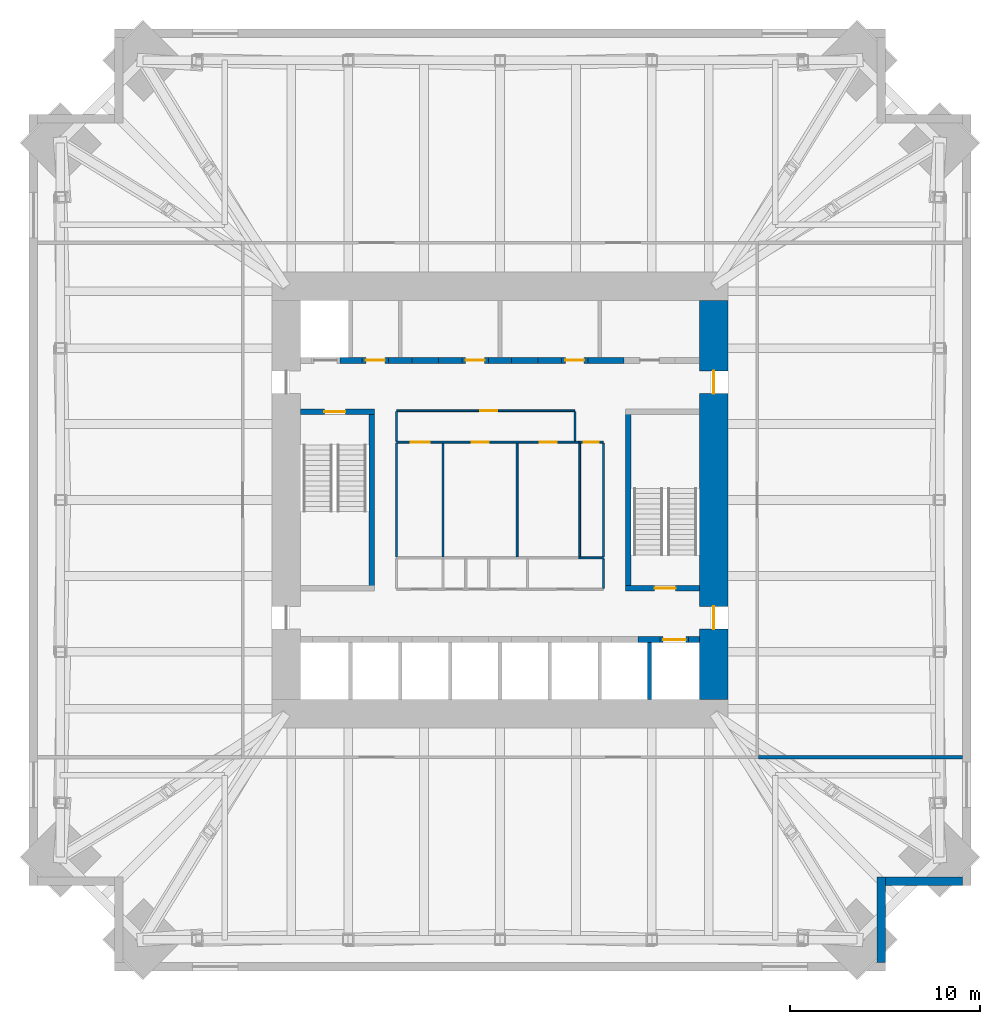
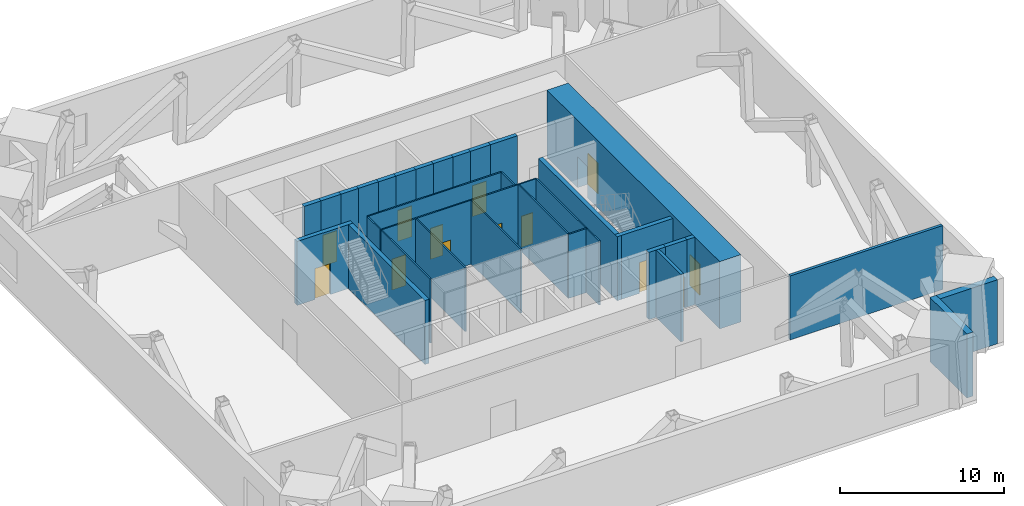
# One storey, part 4 of 6: 35 walls, 13 doors, 13 openings.
"""IFC4 building model written with IfcOpenShell, lengths in metres."""

from ifc_helpers import new_model, si_unit, direction, frame, frame_2d, origin, place, context, subcontext, project, spatial, rectangle, extrude, material, layer, layer_set, type_object, element, fill, save


model = new_model("IFC4")

# Units and contexts
model_context = context("Model", 3, precision=1e-05, world=origin(), true_north=direction((0.0, 1.0)))
body_context = subcontext(model_context, "Body", "Model", "MODEL_VIEW")
ifc_project = project(units=[si_unit("LENGTHUNIT", "METRE"), si_unit("AREAUNIT", "SQUARE_METRE"), si_unit("VOLUMEUNIT", "CUBIC_METRE"), si_unit("PLANEANGLEUNIT", "RADIAN"), si_unit("MASSUNIT", "GRAM", prefix="KILO")], contexts=[model_context])

# Site, building, storey
site_placement = place(None, origin())
site = spatial("IfcSite", under=ifc_project, at=site_placement, CompositionType="ELEMENT")
building_placement = place(site_placement, origin())
building = spatial("IfcBuilding", under=site, at=building_placement, Name="Peilmerk Tower", CompositionType="ELEMENT")
storey_placement = place(building_placement, frame((0.0, 0.0, 191.800048828125)))
storey = spatial("IfcBuildingStorey", under=building, at=storey_placement, Name="L41", CompositionType="ELEMENT", Elevation=191.800048828125)

# Walls
ifc_material_1 = material(Name="Precast concrete C45/55, board-marked finish", Category="concrete")
ifc_layer_1 = layer(ifc_material_1, 0.449951171875)
ifc_layer_set_1 = layer_set([ifc_layer_1], Name="Precast concrete C45/55, board-marked finish")
wall_type_1 = type_object("IfcWallType", Name="EW1 450 precast concrete facade wall, board-marked", PredefinedType="SOLIDWALL", material=ifc_layer_set_1)
wall_1_placement = place(storey_placement, frame((20.074951171875, -19.85009765625, 0.0), z_axis=(0.0, 0.0, 1.0), x_axis=(0.0, -1.0, 0.0)))
element("IfcWall", 1, at=wall_1_placement, inside=storey, type_object=wall_type_1, Name="Facade wall SEA L41", PredefinedType="SOLIDWALL", context=body_context, shape_type="SweptSolid", body=[
    extrude(rectangle(XDim=4.5, YDim=0.449951171875, at=frame_2d((2.25, 0.0))), origin(), (0.0, 0.0, 1.0), 4.75),
])
wall_2_placement = place(storey_placement, frame((20.300048828125, -20.074951171875, 0.0), z_axis=(0.0, 0.0, 1.0), x_axis=(1.0, 0.0, 0.0)))
element("IfcWall", 2, at=wall_2_placement, inside=storey, type_object=wall_type_1, Name="Facade wall SEB L41", PredefinedType="SOLIDWALL", context=body_context, shape_type="SweptSolid", body=[
    extrude(rectangle(XDim=4.050048828125, YDim=0.449951171875, at=frame_2d((2.02490234375, 0.0))), origin(), (0.0, 0.0, 1.0), 4.75),
])
ifc_material_2 = material(Name="Calcium silicate block", Category="masonry")
ifc_layer_2 = layer(ifc_material_2, 0.199951171875)
ifc_layer_set_2 = layer_set([ifc_layer_2], Name="Calcium silicate block")
wall_type_2 = type_object("IfcWallType", Name="IW2 200 room separating wall, EI 120", PredefinedType="PARTITIONING", material=ifc_layer_set_2)
wall_3_placement = place(storey_placement, frame((24.35009765625, -13.550048828125, 0.0), z_axis=(0.0, 0.0, 1.0), x_axis=(-1.0, 0.0, 0.0)))
element("IfcWall", 3, at=wall_3_placement, inside=storey, type_object=wall_type_2, Name="Room separating wall SE L41", PredefinedType="PARTITIONING", context=body_context, shape_type="SweptSolid", body=[
    extrude(rectangle(XDim=10.72509765625, YDim=0.199951171875, at=frame_2d((5.362548828125, 0.0))), origin(), (0.0, 0.0, 1.0), 4.75),
])
ifc_material_3 = material(Name="Concrete C35/45", Category="concrete")
ifc_layer_3 = layer(ifc_material_3, 0.300048828125)
ifc_layer_set_3 = layer_set([ifc_layer_3], Name="Concrete C35/45")
wall_type_3 = type_object("IfcWallType", Name="IW3 300 concrete stair enclosure wall, EI 120", PredefinedType="SOLIDWALL", material=ifc_layer_set_3)
wall_4_placement = place(storey_placement, frame((-6.75, -4.800048828125, 0.0), z_axis=(0.0, 0.0, 1.0), x_axis=(0.0, 1.0, 0.0)))
element("IfcWall", 4, at=wall_4_placement, inside=storey, type_object=wall_type_3, Name="Stair 1 enclosure L41", PredefinedType="SOLIDWALL", context=body_context, shape_type="SweptSolid", body=[
    extrude(rectangle(XDim=9.60009765625, YDim=0.300048828125, at=frame_2d((4.800048828125, 0.0))), origin(), (0.0, 0.0, 1.0), 4.75),
])

# Wall, opening, door
wall_5_placement = place(storey_placement, frame((-10.5, 4.64990234375, 0.0), z_axis=(0.0, 0.0, 1.0), x_axis=(1.0, 0.0, 0.0)))
wall_5 = element("IfcWall", 5, at=wall_5_placement, inside=storey, type_object=wall_type_3, Name="Stair 1 enclosure L41", PredefinedType="SOLIDWALL", context=body_context, shape_type="SweptSolid", body=[
    extrude(rectangle(XDim=3.89990234375, YDim=0.300048828125, at=frame_2d((1.949951171875, 0.0))), origin(), (0.0, 0.0, 1.0), 4.75),
])
opening_1_placement = place(wall_5_placement, frame((1.25, 0.0, 0.0)))
opening_1 = element("IfcOpeningElement", 6, at=opening_1_placement, cuts=wall_5, Name="Opening D4", PredefinedType="OPENING", context=body_context, shape_type="SweptSolid", body=[
    extrude(rectangle(XDim=1.10009765625, YDim=2.300048828125, at=frame_2d((0.550048828125, 1.14990234375))), frame((0.0, 0.159912109375, 0.0), z_axis=(0.0, -1.0, 0.0), x_axis=(1.0, 0.0, 0.0)), (0.0, 0.0, 1.0), 0.320068359375),
])
ifc_material_4 = material(Name="Steel door in steel frame", Category="steel")
door_type_1 = type_object("IfcDoorType", Name="D4 1100x2300 stair door, EI2 60", OperationType="SINGLE_SWING_RIGHT", PredefinedType="DOOR", material=ifc_material_4)
door_1_placement = place(opening_1_placement, frame((1.10009765625, 0.0, 0.0), z_axis=(0.0, 0.0, 1.0), x_axis=(-1.0, 0.0, 0.0)))
door_1 = element("IfcDoor", 7, at=door_1_placement, inside=storey, type_object=door_type_1, Name="Stair 1 door L41", OperationType="SINGLE_SWING_RIGHT", OverallHeight=2.300048828125, OverallWidth=1.10009765625, PredefinedType="DOOR", context=body_context, shape_type="SweptSolid", body=[
    extrude(rectangle(XDim=1.10009765625, YDim=2.300048828125, at=frame_2d((0.550048828125, 1.14990234375))), frame((0.0, 0.02490234375, 0.0), z_axis=(0.0, -1.0, 0.0), x_axis=(1.0, 0.0, 0.0)), (0.0, 0.0, 1.0), 0.050048828125),
])
fill(opening_1, door_1)

# Wall
wall_6_placement = place(storey_placement, frame((6.75, -4.800048828125, 0.0), z_axis=(0.0, 0.0, 1.0), x_axis=(0.0, 1.0, 0.0)))
element("IfcWall", 8, at=wall_6_placement, inside=storey, type_object=wall_type_3, Name="Stair 2 enclosure L41", PredefinedType="SOLIDWALL", context=body_context, shape_type="SweptSolid", body=[
    extrude(rectangle(XDim=9.60009765625, YDim=0.300048828125, at=frame_2d((4.800048828125, 0.0))), origin(), (0.0, 0.0, 1.0), 4.75),
])

# Wall, opening, door
wall_7_placement = place(storey_placement, frame((10.5, -4.64990234375, 0.0), z_axis=(0.0, 0.0, 1.0), x_axis=(-1.0, 0.0, 0.0)))
wall_7 = element("IfcWall", 9, at=wall_7_placement, inside=storey, type_object=wall_type_3, Name="Stair 2 enclosure L41", PredefinedType="SOLIDWALL", context=body_context, shape_type="SweptSolid", body=[
    extrude(rectangle(XDim=3.89990234375, YDim=0.300048828125, at=frame_2d((1.949951171875, 0.0))), origin(), (0.0, 0.0, 1.0), 4.75),
])
opening_2_placement = place(wall_7_placement, frame((1.25, 0.0, 0.0)))
opening_2 = element("IfcOpeningElement", 10, at=opening_2_placement, cuts=wall_7, Name="Opening D4", PredefinedType="OPENING", context=body_context, shape_type="SweptSolid", body=[
    extrude(rectangle(XDim=1.10009765625, YDim=2.300048828125, at=frame_2d((0.550048828125, 1.14990234375))), frame((0.0, 0.159912109375, 0.0), z_axis=(0.0, -1.0, 0.0), x_axis=(1.0, 0.0, 0.0)), (0.0, 0.0, 1.0), 0.320068359375),
])
door_2_placement = place(opening_2_placement, frame((1.10009765625, 0.0, 0.0), z_axis=(0.0, 0.0, 1.0), x_axis=(-1.0, 0.0, 0.0)))
door_2 = element("IfcDoor", 11, at=door_2_placement, inside=storey, type_object=door_type_1, Name="Stair 2 door L41", OperationType="SINGLE_SWING_RIGHT", OverallHeight=2.300048828125, OverallWidth=1.10009765625, PredefinedType="DOOR", context=body_context, shape_type="SweptSolid", body=[
    extrude(rectangle(XDim=1.10009765625, YDim=2.300048828125, at=frame_2d((0.550048828125, 1.14990234375))), frame((0.0, 0.02490234375, 0.0), z_axis=(0.0, -1.0, 0.0), x_axis=(1.0, 0.0, 0.0)), (0.0, 0.0, 1.0), 0.050048828125),
])
fill(opening_2, door_2)

# Wall, openings, doors
ifc_material_5 = material(Name="Plasterboard on steel studs", Category="steel")
ifc_layer_4 = layer(ifc_material_5, 0.10009765625)
ifc_layer_set_4 = layer_set([ifc_layer_4], Name="Plasterboard on steel studs")
wall_type_4 = type_object("IfcWallType", Name="IW4 100 WC partition", PredefinedType="PARTITIONING", material=ifc_layer_set_4)
wall_8_placement = place(storey_placement, frame((-5.449951171875, 3.050048828125, 0.0), z_axis=(0.0, 0.0, 1.0), x_axis=(1.0, 0.0, 0.0)))
wall_8 = element("IfcWall", 12, at=wall_8_placement, inside=storey, type_object=wall_type_4, Name="WC wall L41", PredefinedType="PARTITIONING", context=body_context, shape_type="SweptSolid", body=[
    extrude(rectangle(XDim=9.599853515625, YDim=0.10009765625, at=frame_2d((4.7998046875, 0.0))), origin(), (0.0, 0.0, 1.0), 4.75),
])
opening_3_placement = place(wall_8_placement, frame((0.75, 0.0, 0.0)))
opening_3 = element("IfcOpeningElement", 13, at=opening_3_placement, cuts=wall_8, Name="Opening D6", PredefinedType="OPENING", context=body_context, shape_type="SweptSolid", body=[
    extrude(rectangle(XDim=1.0, YDim=2.300048828125, at=frame_2d((0.5, 1.14990234375))), frame((0.0, 0.06005859375, 0.0), z_axis=(0.0, -1.0, 0.0), x_axis=(1.0, 0.0, 0.0)), (0.0, 0.0, 1.0), 0.1201171875),
])
opening_4_placement = place(wall_8_placement, frame((3.949951171875, 0.0, 0.0)))
opening_4 = element("IfcOpeningElement", 14, at=opening_4_placement, cuts=wall_8, Name="Opening D5", PredefinedType="OPENING", context=body_context, shape_type="SweptSolid", body=[
    extrude(rectangle(XDim=0.89990234375, YDim=2.300048828125, at=frame_2d((0.449951171875, 1.14990234375))), frame((0.0, 0.06005859375, 0.0), z_axis=(0.0, -1.0, 0.0), x_axis=(1.0, 0.0, 0.0)), (0.0, 0.0, 1.0), 0.1201171875),
])
opening_5_placement = place(wall_8_placement, frame((7.550048828125, 0.0, 0.0)))
opening_5 = element("IfcOpeningElement", 15, at=opening_5_placement, cuts=wall_8, Name="Opening D5", PredefinedType="OPENING", context=body_context, shape_type="SweptSolid", body=[
    extrude(rectangle(XDim=0.89990234375, YDim=2.300048828125, at=frame_2d((0.449951171875, 1.14990234375))), frame((0.0, 0.06005859375, 0.0), z_axis=(0.0, -1.0, 0.0), x_axis=(1.0, 0.0, 0.0)), (0.0, 0.0, 1.0), 0.1201171875),
])
ifc_material_6 = material(Name="Timber door in steel frame", Category="steel")
door_type_2 = type_object("IfcDoorType", Name="D5 900x2300 WC door", OperationType="SINGLE_SWING_LEFT", PredefinedType="DOOR", material=ifc_material_6)
door_3_placement = place(opening_4_placement, frame((0.89990234375, 0.0, 0.0), z_axis=(0.0, 0.0, 1.0), x_axis=(-1.0, 0.0, 0.0)))
door_3 = element("IfcDoor", 16, at=door_3_placement, inside=storey, type_object=door_type_2, Name="Female toilets door L41", OperationType="SINGLE_SWING_LEFT", OverallHeight=2.300048828125, OverallWidth=0.89990234375, PredefinedType="DOOR", context=body_context, shape_type="SweptSolid", body=[
    extrude(rectangle(XDim=0.89990234375, YDim=2.300048828125, at=frame_2d((0.449951171875, 1.14990234375))), frame((0.0, 0.02490234375, 0.0), z_axis=(0.0, -1.0, 0.0), x_axis=(1.0, 0.0, 0.0)), (0.0, 0.0, 1.0), 0.050048828125),
])
fill(opening_4, door_3)
door_4_placement = place(opening_5_placement, frame((0.89990234375, 0.0, 0.0), z_axis=(0.0, 0.0, 1.0), x_axis=(-1.0, 0.0, 0.0)))
door_4 = element("IfcDoor", 17, at=door_4_placement, inside=storey, type_object=door_type_2, Name="Male toilets door L41", OperationType="SINGLE_SWING_LEFT", OverallHeight=2.300048828125, OverallWidth=0.89990234375, PredefinedType="DOOR", context=body_context, shape_type="SweptSolid", body=[
    extrude(rectangle(XDim=0.89990234375, YDim=2.300048828125, at=frame_2d((0.449951171875, 1.14990234375))), frame((0.0, 0.02490234375, 0.0), z_axis=(0.0, -1.0, 0.0), x_axis=(1.0, 0.0, 0.0)), (0.0, 0.0, 1.0), 0.050048828125),
])
fill(opening_5, door_4)
door_type_3 = type_object("IfcDoorType", Name="D6 1000x2300 accessible WC door", OperationType="SLIDING_TO_LEFT", PredefinedType="DOOR", material=ifc_material_6)
door_5_placement = place(opening_3_placement, frame((1.0, 0.0, 0.0), z_axis=(0.0, 0.0, 1.0), x_axis=(-1.0, 0.0, 0.0)))
door_5 = element("IfcDoor", 18, at=door_5_placement, inside=storey, type_object=door_type_3, Name="Accessible WC door L41", OperationType="SLIDING_TO_LEFT", OverallHeight=2.300048828125, OverallWidth=1.0, PredefinedType="DOOR", context=body_context, shape_type="SweptSolid", body=[
    extrude(rectangle(XDim=1.0, YDim=2.300048828125, at=frame_2d((0.5, 1.14990234375))), frame((0.0, 0.02490234375, 0.0), z_axis=(0.0, -1.0, 0.0), x_axis=(1.0, 0.0, 0.0)), (0.0, 0.0, 1.0), 0.050048828125),
])
fill(opening_3, door_5)

# Walls
for number, where, z_axis, x_axis, name in (
    (19, (-5.449951171875, -3.0, 0.0), (0.0, 0.0, 1.0), (0.0, 1.0, 0.0), "WC wall L41"),
    (20, (-3.0, -3.0, 0.0), (0.0, 0.0, 1.0), (0.0, 1.0, 0.0), "WC wall L41"),
    (21, (0.89990234375, -3.0, 0.0), (0.0, 0.0, 1.0), (0.0, 1.0, 0.0), "WC wall L41"),
):
    element("IfcWall", number, at=place(storey_placement, frame(where, z_axis=z_axis, x_axis=x_axis)), inside=storey, type_object=wall_type_4, Name=name, PredefinedType="PARTITIONING", context=body_context, shape_type="SweptSolid", body=[
        extrude(rectangle(XDim=6.0, YDim=0.10009765625, at=frame_2d((3.0, 0.0))), origin(), (0.0, 0.0, 1.0), 4.75),
    ])

# Wall, opening, door
ifc_material_7 = material(Name="Calcium silicate board on steel studs", Category="steel")
ifc_layer_5 = layer(ifc_material_7, 0.10009765625)
ifc_layer_set_5 = layer_set([ifc_layer_5], Name="Calcium silicate board on steel studs")
wall_type_5 = type_object("IfcWallType", Name="IW5 100 riser enclosure wall, EI 60", PredefinedType="PARTITIONING", material=ifc_layer_set_5)
wall_9_placement = place(storey_placement, frame((4.14990234375, 3.050048828125, 0.0), z_axis=(0.0, 0.0, 1.0), x_axis=(1.0, 0.0, 0.0)))
wall_9 = element("IfcWall", 22, at=wall_9_placement, inside=storey, type_object=wall_type_5, Name="Riser wall L41", PredefinedType="PARTITIONING", context=body_context, shape_type="SweptSolid", body=[
    extrude(rectangle(XDim=1.300048828125, YDim=0.10009765625, at=frame_2d((0.64990234375, 0.0))), origin(), (0.0, 0.0, 1.0), 4.75),
])
opening_6_placement = place(wall_9_placement, frame((0.25, 0.0, 0.0)))
opening_6 = element("IfcOpeningElement", 23, at=opening_6_placement, cuts=wall_9, Name="Opening D7", PredefinedType="OPENING", context=body_context, shape_type="SweptSolid", body=[
    extrude(rectangle(XDim=0.800048828125, YDim=2.300048828125, at=frame_2d((0.39990234375, 1.14990234375))), frame((0.0, 0.06005859375, 0.0), z_axis=(0.0, -1.0, 0.0), x_axis=(1.0, 0.0, 0.0)), (0.0, 0.0, 1.0), 0.1201171875),
])
door_type_4 = type_object("IfcDoorType", Name="D7 800x2300 riser access door, EI2 60", OperationType="SINGLE_SWING_RIGHT", PredefinedType="DOOR", material=ifc_material_4)
door_6_placement = place(opening_6_placement, frame((0.800048828125, 0.0, 0.0), z_axis=(0.0, 0.0, 1.0), x_axis=(-1.0, 0.0, 0.0)))
door_6 = element("IfcDoor", 24, at=door_6_placement, inside=storey, type_object=door_type_4, Name="Plumbing riser door L41", OperationType="SINGLE_SWING_RIGHT", OverallHeight=2.300048828125, OverallWidth=0.800048828125, PredefinedType="DOOR", context=body_context, shape_type="SweptSolid", body=[
    extrude(rectangle(XDim=0.800048828125, YDim=2.300048828125, at=frame_2d((0.39990234375, 1.14990234375))), frame((0.0, 0.02490234375, 0.0), z_axis=(0.0, -1.0, 0.0), x_axis=(1.0, 0.0, 0.0)), (0.0, 0.0, 1.0), 0.050048828125),
])
fill(opening_6, door_6)

# Walls
wall_10_placement = place(storey_placement, frame((5.449951171875, -3.050048828125, 0.0), z_axis=(0.0, 0.0, 1.0), x_axis=(-1.0, 0.0, 0.0)))
element("IfcWall", 25, at=wall_10_placement, inside=storey, type_object=wall_type_5, Name="Riser wall L41", PredefinedType="PARTITIONING", context=body_context, shape_type="SweptSolid", body=[
    extrude(rectangle(XDim=1.300048828125, YDim=0.10009765625, at=frame_2d((0.64990234375, 0.0))), origin(), (0.0, 0.0, 1.0), 4.75),
])
for number, where, z_axis, x_axis, name in (
    (26, (5.449951171875, 3.0, 0.0), (0.0, 0.0, 1.0), (0.0, -1.0, 0.0), "Riser wall L41"),
    (27, (4.199951171875, -3.0, 0.0), (0.0, 0.0, 1.0), (0.0, 1.0, 0.0), "Riser wall L41"),
):
    element("IfcWall", number, at=place(storey_placement, frame(where, z_axis=z_axis, x_axis=x_axis)), inside=storey, type_object=wall_type_5, Name=name, PredefinedType="PARTITIONING", context=body_context, shape_type="SweptSolid", body=[
        extrude(rectangle(XDim=6.0, YDim=0.10009765625, at=frame_2d((3.0, 0.0))), origin(), (0.0, 0.0, 1.0), 4.75),
    ])
wall_11_placement = place(storey_placement, frame((5.449951171875, -3.10009765625, 0.0), z_axis=(0.0, 0.0, 1.0), x_axis=(0.0, -1.0, 0.0)))
element("IfcWall", 28, at=wall_11_placement, inside=storey, type_object=wall_type_5, Name="Riser wall L41", PredefinedType="PARTITIONING", context=body_context, shape_type="SweptSolid", body=[
    extrude(rectangle(XDim=1.5498046875, YDim=0.10009765625, at=frame_2d((0.77490234375, 0.0))), origin(), (0.0, 0.0, 1.0), 4.75),
])

# Wall, opening, door
ifc_material_8 = material(Name="Fire-resisting plasterboard on steel studs", Category="steel")
ifc_layer_6 = layer(ifc_material_8, 0.10009765625)
ifc_layer_set_6 = layer_set([ifc_layer_6], Name="Fire-resisting plasterboard on steel studs")
wall_type_6 = type_object("IfcWallType", Name="IW9 100 WC lobby wall, EI 30", PredefinedType="PARTITIONING", material=ifc_layer_set_6)
wall_12_placement = place(storey_placement, frame((-5.449951171875, 4.699951171875, 0.0), z_axis=(0.0, 0.0, 1.0), x_axis=(1.0, 0.0, 0.0)))
wall_12 = element("IfcWall", 29, at=wall_12_placement, inside=storey, type_object=wall_type_6, Name="WC lobby wall L41", PredefinedType="PARTITIONING", context=body_context, shape_type="SweptSolid", body=[
    extrude(rectangle(XDim=9.39990234375, YDim=0.10009765625, at=frame_2d((4.699951171875, 0.0))), origin(), (0.0, 0.0, 1.0), 4.75),
])
opening_7_placement = place(wall_12_placement, frame((4.39990234375, 0.0, 0.0)))
opening_7 = element("IfcOpeningElement", 30, at=opening_7_placement, cuts=wall_12, Name="Opening D11", PredefinedType="OPENING", context=body_context, shape_type="SweptSolid", body=[
    extrude(rectangle(XDim=0.89990234375, YDim=2.300048828125, at=frame_2d((0.449951171875, 1.14990234375))), frame((0.0, 0.06005859375, 0.0), z_axis=(0.0, -1.0, 0.0), x_axis=(1.0, 0.0, 0.0)), (0.0, 0.0, 1.0), 0.1201171875),
])
door_type_5 = type_object("IfcDoorType", Name="D11 900x2300 WC lobby door, EI2 30", OperationType="SINGLE_SWING_LEFT", PredefinedType="DOOR", material=ifc_material_6)
door_7_placement = place(opening_7_placement, frame((0.89990234375, 0.0, 0.0), z_axis=(0.0, 0.0, 1.0), x_axis=(-1.0, 0.0, 0.0)))
door_7 = element("IfcDoor", 31, at=door_7_placement, inside=storey, type_object=door_type_5, Name="WC lobby door L41", OperationType="SINGLE_SWING_LEFT", OverallHeight=2.300048828125, OverallWidth=0.89990234375, PredefinedType="DOOR", context=body_context, shape_type="SweptSolid", body=[
    extrude(rectangle(XDim=0.89990234375, YDim=2.300048828125, at=frame_2d((0.449951171875, 1.14990234375))), frame((0.0, 0.02490234375, 0.0), z_axis=(0.0, -1.0, 0.0), x_axis=(1.0, 0.0, 0.0)), (0.0, 0.0, 1.0), 0.050048828125),
])
fill(opening_7, door_7)

# Walls
for number, where, z_axis, x_axis, name in (
    (32, (-5.449951171875, 3.10009765625, 0.0), (0.0, 0.0, 1.0), (0.0, 1.0, 0.0), "WC lobby wall L41"),
    (33, (3.949951171875, 3.10009765625, 0.0), (0.0, 0.0, 1.0), (0.0, 1.0, 0.0), "WC lobby wall L41"),
):
    element("IfcWall", number, at=place(storey_placement, frame(where, z_axis=z_axis, x_axis=x_axis)), inside=storey, type_object=wall_type_6, Name=name, PredefinedType="PARTITIONING", context=body_context, shape_type="SweptSolid", body=[
        extrude(rectangle(XDim=1.5498046875, YDim=0.10009765625, at=frame_2d((0.77490234375, 0.0))), origin(), (0.0, 0.0, 1.0), 4.75),
    ])
ifc_layer_7 = layer(ifc_material_2, 0.199951171875)
ifc_layer_set_7 = layer_set([ifc_layer_7], Name="Calcium silicate block")
wall_type_7 = type_object("IfcWallType", Name="SH1 200 shaft dividing wall, EI 120", PredefinedType="PARTITIONING", material=ifc_layer_set_7)
wall_13_placement = place(storey_placement, frame((7.875, -10.5, 0.0), z_axis=(0.0, 0.0, 1.0), x_axis=(0.0, 1.0, 0.0)))
element("IfcWall", 34, at=wall_13_placement, inside=storey, type_object=wall_type_7, Name="Shaft wall S B1 L41", PredefinedType="PARTITIONING", context=body_context, shape_type="SweptSolid", body=[
    extrude(rectangle(XDim=3.0, YDim=0.199951171875, at=frame_2d((1.5, 0.0))), origin(), (0.0, 0.0, 1.0), 5.0),
])

# Wall, opening, door
ifc_layer_8 = layer(ifc_material_2, 0.300048828125)
ifc_layer_set_8 = layer_set([ifc_layer_8], Name="Calcium silicate block")
wall_type_8 = type_object("IfcWallType", Name="SH2 300 lift landing door panel, EI 120", PredefinedType="PARTITIONING", material=ifc_layer_set_8)
wall_14_placement = place(storey_placement, frame((-7.262451171875, 7.35009765625, 0.0), z_axis=(0.0, 0.0, 1.0), x_axis=(1.0, 0.0, 0.0)))
wall_14 = element("IfcWall", 35, at=wall_14_placement, inside=storey, type_object=wall_type_8, Name="Lift door panel N A1 L41", PredefinedType="PARTITIONING", context=body_context, shape_type="SweptSolid", body=[
    extrude(rectangle(XDim=1.39990234375, YDim=0.300048828125, at=frame_2d((0.699951171875, 0.0))), origin(), (0.0, 0.0, 1.0), 5.0),
])
opening_8_placement = place(wall_14_placement, frame((0.199951171875, 0.0, 0.0)))
opening_8 = element("IfcOpeningElement", 36, at=opening_8_placement, cuts=wall_14, Name="Opening D10", PredefinedType="OPENING", context=body_context, shape_type="SweptSolid", body=[
    extrude(rectangle(XDim=1.0, YDim=2.300048828125, at=frame_2d((0.5, 1.14990234375))), frame((0.0, 0.159912109375, 0.0), z_axis=(0.0, -1.0, 0.0), x_axis=(1.0, 0.0, 0.0)), (0.0, 0.0, 1.0), 0.320068359375),
])
door_type_6 = type_object("IfcDoorType", Name="D10 1000x2300 core room door, EI2 60", OperationType="SINGLE_SWING_RIGHT", PredefinedType="DOOR", material=ifc_material_4)
door_8_placement = place(opening_8_placement, origin())
door_8 = element("IfcDoor", 37, at=door_8_placement, inside=storey, type_object=door_type_6, Name="Door Electrical plant room L41", OperationType="SINGLE_SWING_RIGHT", OverallHeight=2.300048828125, OverallWidth=1.0, PredefinedType="DOOR", context=body_context, shape_type="SweptSolid", body=[
    extrude(rectangle(XDim=1.0, YDim=2.300048828125, at=frame_2d((0.5, 1.14990234375))), frame((0.0, 0.02490234375, 0.0), z_axis=(0.0, -1.0, 0.0), x_axis=(1.0, 0.0, 0.0)), (0.0, 0.0, 1.0), 0.050048828125),
])
fill(opening_8, door_8)

# Wall
wall_15_placement = place(storey_placement, frame((-4.637451171875, 7.35009765625, 0.0), z_axis=(0.0, 0.0, 1.0), x_axis=(1.0, 0.0, 0.0)))
element("IfcWall", 38, at=wall_15_placement, inside=storey, type_object=wall_type_8, Name="Lift door panel N A2 L41", PredefinedType="PARTITIONING", context=body_context, shape_type="SweptSolid", body=[
    extrude(rectangle(XDim=1.39990234375, YDim=0.300048828125, at=frame_2d((0.699951171875, 0.0))), origin(), (0.0, 0.0, 1.0), 5.0),
])

# Wall, opening, door
wall_16_placement = place(storey_placement, frame((-2.012451171875, 7.35009765625, 0.0), z_axis=(0.0, 0.0, 1.0), x_axis=(1.0, 0.0, 0.0)))
wall_16 = element("IfcWall", 39, at=wall_16_placement, inside=storey, type_object=wall_type_8, Name="Lift door panel N A3 L41", PredefinedType="PARTITIONING", context=body_context, shape_type="SweptSolid", body=[
    extrude(rectangle(XDim=1.39990234375, YDim=0.300048828125, at=frame_2d((0.699951171875, 0.0))), origin(), (0.0, 0.0, 1.0), 5.0),
])
opening_9_placement = place(wall_16_placement, frame((0.199951171875, 0.0, 0.0)))
opening_9 = element("IfcOpeningElement", 40, at=opening_9_placement, cuts=wall_16, Name="Opening D10", PredefinedType="OPENING", context=body_context, shape_type="SweptSolid", body=[
    extrude(rectangle(XDim=1.0, YDim=2.300048828125, at=frame_2d((0.5, 1.14990234375))), frame((0.0, 0.159912109375, 0.0), z_axis=(0.0, -1.0, 0.0), x_axis=(1.0, 0.0, 0.0)), (0.0, 0.0, 1.0), 0.320068359375),
])
door_9_placement = place(opening_9_placement, origin())
door_9 = element("IfcDoor", 41, at=door_9_placement, inside=storey, type_object=door_type_6, Name="Door Comms plant room L41", OperationType="SINGLE_SWING_RIGHT", OverallHeight=2.300048828125, OverallWidth=1.0, PredefinedType="DOOR", context=body_context, shape_type="SweptSolid", body=[
    extrude(rectangle(XDim=1.0, YDim=2.300048828125, at=frame_2d((0.5, 1.14990234375))), frame((0.0, 0.02490234375, 0.0), z_axis=(0.0, -1.0, 0.0), x_axis=(1.0, 0.0, 0.0)), (0.0, 0.0, 1.0), 0.050048828125),
])
fill(opening_9, door_9)

# Wall
wall_17_placement = place(storey_placement, frame((0.612548828125, 7.35009765625, 0.0), z_axis=(0.0, 0.0, 1.0), x_axis=(1.0, 0.0, 0.0)))
element("IfcWall", 42, at=wall_17_placement, inside=storey, type_object=wall_type_8, Name="Lift door panel N S1 L41", PredefinedType="PARTITIONING", context=body_context, shape_type="SweptSolid", body=[
    extrude(rectangle(XDim=1.39990234375, YDim=0.300048828125, at=frame_2d((0.699951171875, 0.0))), origin(), (0.0, 0.0, 1.0), 5.0),
])

# Wall, opening, door
wall_18_placement = place(storey_placement, frame((3.237548828125, 7.35009765625, 0.0), z_axis=(0.0, 0.0, 1.0), x_axis=(1.0, 0.0, 0.0)))
wall_18 = element("IfcWall", 43, at=wall_18_placement, inside=storey, type_object=wall_type_8, Name="Lift door panel N S2 L41", PredefinedType="PARTITIONING", context=body_context, shape_type="SweptSolid", body=[
    extrude(rectangle(XDim=1.39990234375, YDim=0.300048828125, at=frame_2d((0.699951171875, 0.0))), origin(), (0.0, 0.0, 1.0), 5.0),
])
opening_10_placement = place(wall_18_placement, frame((0.199951171875, 0.0, 0.0)))
opening_10 = element("IfcOpeningElement", 44, at=opening_10_placement, cuts=wall_18, Name="Opening D10", PredefinedType="OPENING", context=body_context, shape_type="SweptSolid", body=[
    extrude(rectangle(XDim=1.0, YDim=2.300048828125, at=frame_2d((0.5, 1.14990234375))), frame((0.0, 0.159912109375, 0.0), z_axis=(0.0, -1.0, 0.0), x_axis=(1.0, 0.0, 0.0)), (0.0, 0.0, 1.0), 0.320068359375),
])
door_10_placement = place(opening_10_placement, origin())
door_10 = element("IfcDoor", 45, at=door_10_placement, inside=storey, type_object=door_type_6, Name="Door Ventilation plant room L41", OperationType="SINGLE_SWING_RIGHT", OverallHeight=2.300048828125, OverallWidth=1.0, PredefinedType="DOOR", context=body_context, shape_type="SweptSolid", body=[
    extrude(rectangle(XDim=1.0, YDim=2.300048828125, at=frame_2d((0.5, 1.14990234375))), frame((0.0, 0.02490234375, 0.0), z_axis=(0.0, -1.0, 0.0), x_axis=(1.0, 0.0, 0.0)), (0.0, 0.0, 1.0), 0.050048828125),
])
fill(opening_10, door_10)

wall_19_placement = place(storey_placement, frame((8.4375, -7.35009765625, 0.0), z_axis=(0.0, 0.0, 1.0), x_axis=(1.0, 0.0, 0.0)))
wall_19 = element("IfcWall", 46, at=wall_19_placement, inside=storey, type_object=wall_type_8, Name="Lift door panel S FL2 L41", PredefinedType="PARTITIONING", context=body_context, shape_type="SweptSolid", body=[
    extrude(rectangle(XDim=1.5, YDim=0.300048828125, at=frame_2d((0.75, 0.0))), origin(), (0.0, 0.0, 1.0), 5.0),
])
opening_11_placement = place(wall_19_placement, frame((0.14990234375, 0.0, 0.0)))
opening_11 = element("IfcOpeningElement", 47, at=opening_11_placement, cuts=wall_19, Name="Opening LD2", PredefinedType="OPENING", context=body_context, shape_type="SweptSolid", body=[
    extrude(rectangle(XDim=1.199951171875, YDim=2.300048828125, at=frame_2d((0.60009765625, 1.14990234375))), frame((0.0, 0.159912109375, 0.0), z_axis=(0.0, -1.0, 0.0), x_axis=(1.0, 0.0, 0.0)), (0.0, 0.0, 1.0), 0.320068359375),
])
ifc_material_9 = material(Name="Stainless steel landing door", Category="steel")
door_type_7 = type_object("IfcDoorType", Name="LD2 1200x2300 lift landing door, sliding, EI2 60", OperationType="SLIDING_TO_LEFT", PredefinedType="DOOR", material=ifc_material_9)
door_11_placement = place(opening_11_placement, origin())
door_11 = element("IfcDoor", 48, at=door_11_placement, inside=storey, type_object=door_type_7, Name="Lift landing door FL2 L41", OperationType="SLIDING_TO_LEFT", OverallHeight=2.300048828125, OverallWidth=1.199951171875, PredefinedType="DOOR", context=body_context, shape_type="SweptSolid", body=[
    extrude(rectangle(XDim=1.199951171875, YDim=2.300048828125, at=frame_2d((0.60009765625, 1.14990234375))), frame((0.0, 0.02490234375, 0.0), z_axis=(0.0, -1.0, 0.0), x_axis=(1.0, 0.0, 0.0)), (0.0, 0.0, 1.0), 0.050048828125),
])
fill(opening_11, door_11)

# Wall, openings, doors
ifc_material_10 = material(Name="Concrete C55/67", Category="concrete")
ifc_layer_9 = layer(ifc_material_10, 1.5)
ifc_layer_set_9 = layer_set([ifc_layer_9], Name="Concrete C55/67")
wall_type_9 = type_object("IfcWallType", Name="SW1 1500 core wall", PredefinedType="SHEAR", material=ifc_layer_set_9)
wall_20_placement = place(storey_placement, frame((11.25, 10.5, 0.0), z_axis=(0.0, 0.0, 1.0), x_axis=(0.0, -1.0, 0.0)))
wall_20 = element("IfcWall", 49, at=wall_20_placement, inside=storey, type_object=wall_type_9, Name="Core wall E L41", PredefinedType="SHEAR", context=body_context, shape_type="SweptSolid", body=[
    extrude(rectangle(XDim=21.0, YDim=1.5, at=frame_2d((10.5, 0.0))), origin(), (0.0, 0.0, 1.0), 5.0),
])
opening_12_placement = place(wall_20_placement, frame((3.699951171875, 0.0, 0.0)))
opening_12 = element("IfcOpeningElement", 50, at=opening_12_placement, cuts=wall_20, Name="Opening D3", PredefinedType="OPENING", context=body_context, shape_type="SweptSolid", body=[
    extrude(rectangle(XDim=1.199951171875, YDim=2.300048828125, at=frame_2d((0.60009765625, 1.14990234375))), frame((0.0, 0.760009765625, 0.0), z_axis=(0.0, -1.0, 0.0), x_axis=(1.0, 0.0, 0.0)), (0.0, 0.0, 1.0), 1.52001953125),
])
opening_13_placement = place(wall_20_placement, frame((16.10009765625, 0.0, 0.0)))
opening_13 = element("IfcOpeningElement", 51, at=opening_13_placement, cuts=wall_20, Name="Opening D3", PredefinedType="OPENING", context=body_context, shape_type="SweptSolid", body=[
    extrude(rectangle(XDim=1.199951171875, YDim=2.300048828125, at=frame_2d((0.60009765625, 1.14990234375))), frame((0.0, 0.760009765625, 0.0), z_axis=(0.0, -1.0, 0.0), x_axis=(1.0, 0.0, 0.0)), (0.0, 0.0, 1.0), 1.52001953125),
])
door_type_8 = type_object("IfcDoorType", Name="D3 1200x2300 core door, EI2 60", OperationType="SINGLE_SWING_LEFT", PredefinedType="DOOR", material=ifc_material_4)
door_12_placement = place(opening_12_placement, frame((1.199951171875, 0.0, 0.0), z_axis=(0.0, 0.0, 1.0), x_axis=(-1.0, 0.0, 0.0)))
door_12 = element("IfcDoor", 52, at=door_12_placement, inside=storey, type_object=door_type_8, Name="Core door L41", OperationType="SINGLE_SWING_LEFT", OverallHeight=2.300048828125, OverallWidth=1.199951171875, PredefinedType="DOOR", context=body_context, shape_type="SweptSolid", body=[
    extrude(rectangle(XDim=1.199951171875, YDim=2.300048828125, at=frame_2d((0.60009765625, 1.14990234375))), frame((0.0, 0.02490234375, 0.0), z_axis=(0.0, -1.0, 0.0), x_axis=(1.0, 0.0, 0.0)), (0.0, 0.0, 1.0), 0.050048828125),
])
fill(opening_12, door_12)
door_13_placement = place(opening_13_placement, frame((1.199951171875, 0.0, 0.0), z_axis=(0.0, 0.0, 1.0), x_axis=(-1.0, 0.0, 0.0)))
door_13 = element("IfcDoor", 53, at=door_13_placement, inside=storey, type_object=door_type_8, Name="Core door L41", OperationType="SINGLE_SWING_LEFT", OverallHeight=2.300048828125, OverallWidth=1.199951171875, PredefinedType="DOOR", context=body_context, shape_type="SweptSolid", body=[
    extrude(rectangle(XDim=1.199951171875, YDim=2.300048828125, at=frame_2d((0.60009765625, 1.14990234375))), frame((0.0, 0.02490234375, 0.0), z_axis=(0.0, -1.0, 0.0), x_axis=(1.0, 0.0, 0.0)), (0.0, 0.0, 1.0), 0.050048828125),
])
fill(opening_13, door_13)

# Walls
ifc_layer_10 = layer(ifc_material_10, 0.300048828125)
ifc_layer_set_10 = layer_set([ifc_layer_10], Name="Concrete C55/67")
wall_type_10 = type_object("IfcWallType", Name="SW2 300 lift bank pier", PredefinedType="SHEAR", material=ifc_layer_set_10)
wall_21_placement = place(storey_placement, frame((-8.4375, 7.35009765625, 0.0), z_axis=(0.0, 0.0, 1.0), x_axis=(1.0, 0.0, 0.0)))
element("IfcWall", 54, at=wall_21_placement, inside=storey, type_object=wall_type_10, Name="Lift bank pier N L41", PredefinedType="SHEAR", context=body_context, shape_type="SweptSolid", body=[
    extrude(rectangle(XDim=1.175048828125, YDim=0.300048828125, at=frame_2d((0.58740234375, 0.0))), origin(), (0.0, 0.0, 1.0), 5.0),
])
for number, where, z_axis, x_axis, name in (
    (55, (-5.862548828125, 7.35009765625, 0.0), (0.0, 0.0, 1.0), (1.0, 0.0, 0.0), "Lift bank pier N L41"),
    (56, (-3.237548828125, 7.35009765625, 0.0), (0.0, 0.0, 1.0), (1.0, 0.0, 0.0), "Lift bank pier N L41"),
    (57, (-0.612548828125, 7.35009765625, 0.0), (0.0, 0.0, 1.0), (1.0, 0.0, 0.0), "Lift bank pier N L41"),
    (58, (2.012451171875, 7.35009765625, 0.0), (0.0, 0.0, 1.0), (1.0, 0.0, 0.0), "Lift bank pier N L41"),
):
    element("IfcWall", number, at=place(storey_placement, frame(where, z_axis=z_axis, x_axis=x_axis)), inside=storey, type_object=wall_type_10, Name=name, PredefinedType="SHEAR", context=body_context, shape_type="SweptSolid", body=[
        extrude(rectangle(XDim=1.22509765625, YDim=0.300048828125, at=frame_2d((0.612548828125, 0.0))), origin(), (0.0, 0.0, 1.0), 5.0),
    ])
wall_22_placement = place(storey_placement, frame((4.637451171875, 7.35009765625, 0.0), z_axis=(0.0, 0.0, 1.0), x_axis=(1.0, 0.0, 0.0)))
element("IfcWall", 59, at=wall_22_placement, inside=storey, type_object=wall_type_10, Name="Lift bank pier N L41", PredefinedType="SHEAR", context=body_context, shape_type="SweptSolid", body=[
    extrude(rectangle(XDim=1.887451171875, YDim=0.300048828125, at=frame_2d((0.94384765625, 0.0))), origin(), (0.0, 0.0, 1.0), 5.0),
])
wall_23_placement = place(storey_placement, frame((7.262451171875, -7.35009765625, 0.0), z_axis=(0.0, 0.0, 1.0), x_axis=(1.0, 0.0, 0.0)))
element("IfcWall", 60, at=wall_23_placement, inside=storey, type_object=wall_type_10, Name="Lift bank pier S L41", PredefinedType="SHEAR", context=body_context, shape_type="SweptSolid", body=[
    extrude(rectangle(XDim=1.175048828125, YDim=0.300048828125, at=frame_2d((0.58740234375, 0.0))), origin(), (0.0, 0.0, 1.0), 5.0),
])
wall_24_placement = place(storey_placement, frame((9.9375, -7.35009765625, 0.0), z_axis=(0.0, 0.0, 1.0), x_axis=(1.0, 0.0, 0.0)))
element("IfcWall", 61, at=wall_24_placement, inside=storey, type_object=wall_type_10, Name="Lift bank pier S L41", PredefinedType="SHEAR", context=body_context, shape_type="SweptSolid", body=[
    extrude(rectangle(XDim=0.5625, YDim=0.300048828125, at=frame_2d((0.28125, 0.0))), origin(), (0.0, 0.0, 1.0), 5.0),
])

save(model, "model.ifc")
